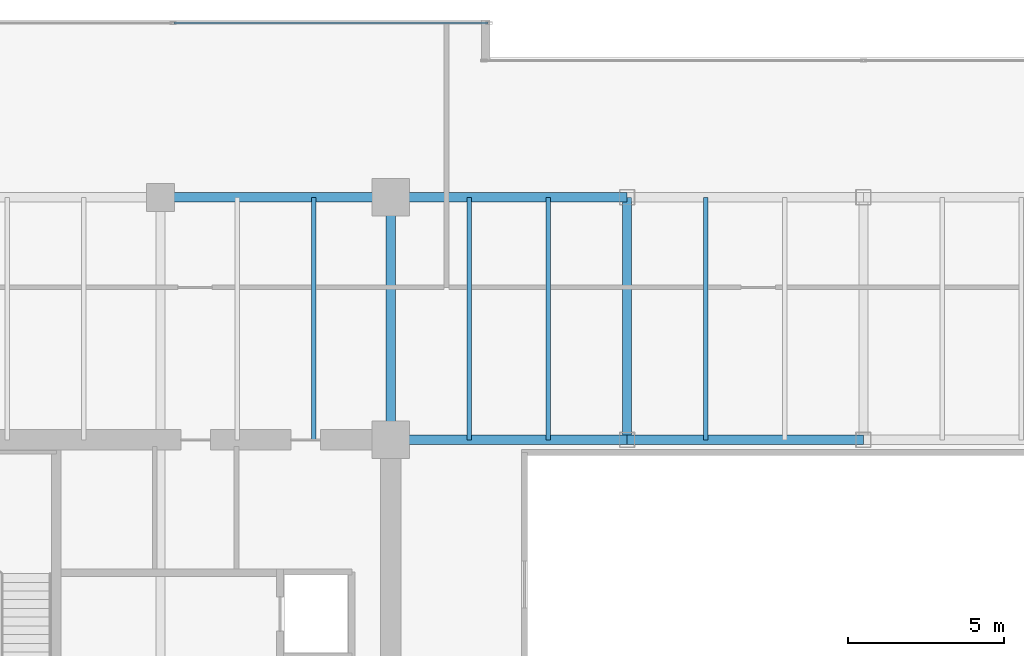
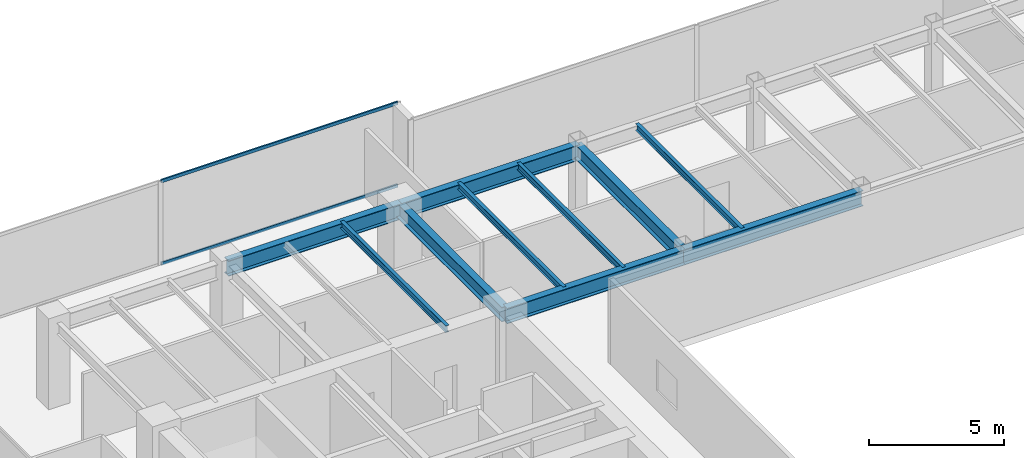
# One storey, part 15 of 30: 10 beams, 2 members, 1 element without a shape of its own.
"""IFC4 building model written with IfcOpenShell, lengths in metres."""

from ifc_helpers import new_model, si_unit, direction, frame, origin, origin_2d, place, context, subcontext, project, spatial, hollow_rectangle, i_section, extrude, source, transform, mapped, material, layer, layer_set, material_profile, profile_set, type_object, type_shapes, element, aggregate, save


model = new_model("IFC4")

# Units and contexts
model_context = context("Model", 3, precision=1e-05, world=origin(), true_north=direction((0.0, 1.0)))
body_context = subcontext(model_context, "Body", "Model", "MODEL_VIEW")
ifc_project = project(units=[si_unit("LENGTHUNIT", "METRE"), si_unit("AREAUNIT", "SQUARE_METRE"), si_unit("VOLUMEUNIT", "CUBIC_METRE"), si_unit("PLANEANGLEUNIT", "RADIAN"), si_unit("MASSUNIT", "GRAM", prefix="KILO")], contexts=[model_context])

# Site, building, storey
site_placement = place(None, origin())
site = spatial("IfcSite", under=ifc_project, at=site_placement, CompositionType="ELEMENT")
building_placement = place(site_placement, origin())
building = spatial("IfcBuilding", under=site, at=building_placement, Name="Haelvirn Gate Laboratories", CompositionType="ELEMENT")
storey_placement = place(building_placement, frame((0.0, 0.0, 125.60009765625)))
storey = spatial("IfcBuildingStorey", under=building, at=storey_placement, Name="L30", CompositionType="ELEMENT", Elevation=125.60009765625)

# Beams
ifc_material_1 = material(Name="Steel SM355", Category="steel")
ifc_material_profile_1 = material_profile(ifc_material_1, i_section(OverallWidth=0.300048828125, OverallDepth=0.64990234375, WebThickness=0.012939453125, FlangeThickness=0.02197265625, at=origin_2d()), Name="H-650x300x13x22")
ifc_profile_set_1 = profile_set([ifc_material_profile_1], Name="Steel SM355")
beam_type_1 = type_object("IfcBeamType", Name="BM-G-650", PredefinedType="BEAM", material=ifc_profile_set_1)
shared_shape_1 = source(origin(), body_context, "Body", "SweptSolid", [
    extrude(i_section(OverallWidth=0.300048828125, OverallDepth=0.64990234375, WebThickness=0.012939453125, FlangeThickness=0.02197265625, at=origin_2d()), origin(), (0.0, 0.0, 1.0), 7.800048828125),
])
type_shapes(beam_type_1, [shared_shape_1])
for number, where, z_axis, x_axis, name in (
    (1, (22.199951171875, 33.800048828125, 3.46484375), (0.0, 1.0, 0.0), (-1.0, 0.0, 0.0), "L30 Frame Girder X22.2 (33.8-41.6)"),
    (2, (29.800048828125, 33.800048828125, 3.46484375), (0.0, 1.0, 0.0), (-1.0, 0.0, 0.0), "L30 Frame Girder X29.8 (33.8-41.6)"),
):
    element("IfcBeam", number, at=place(storey_placement, frame(where, z_axis=z_axis, x_axis=x_axis)), inside=storey, type_object=beam_type_1, Name=name, PredefinedType="BEAM", context=body_context, shape_type="MappedRepresentation", body=[
        mapped(shared_shape_1, transform((0.0, 0.0, 0.0), scale=1.0)),
    ])
ifc_material_profile_2 = material_profile(ifc_material_1, i_section(OverallWidth=0.300048828125, OverallDepth=0.699951171875, WebThickness=0.012939453125, FlangeThickness=0.02392578125, at=origin_2d()), Name="H-700x300x13x24")
ifc_profile_set_2 = profile_set([ifc_material_profile_2], Name="Steel SM355")
beam_type_2 = type_object("IfcBeamType", Name="BM-G-700", PredefinedType="BEAM", material=ifc_profile_set_2)
shared_shape_2 = source(origin(), body_context, "Body", "SweptSolid", [
    extrude(i_section(OverallWidth=0.300048828125, OverallDepth=0.699951171875, WebThickness=0.012939453125, FlangeThickness=0.02392578125, at=origin_2d()), origin(), (0.0, 0.0, 1.0), 7.39990234375),
])
beam_1_placement = place(storey_placement, frame((14.800048828125, 41.60009765625, 3.43994140625), z_axis=(1.0, 0.0, 0.0), x_axis=(0.0, 1.0, 0.0)))
element("IfcBeam", 3, at=beam_1_placement, inside=storey, type_object=beam_type_2, Name="L30 Primary Girder Y41.6 (14.8-22.2)", PredefinedType="BEAM", context=body_context, shape_type="MappedRepresentation", body=[
    mapped(shared_shape_2, transform((0.0, 0.0, 0.0), scale=1.0)),
])
shared_shape_3 = source(origin(), body_context, "Body", "SweptSolid", [
    extrude(i_section(OverallWidth=0.300048828125, OverallDepth=0.699951171875, WebThickness=0.012939453125, FlangeThickness=0.02392578125, at=origin_2d()), origin(), (0.0, 0.0, 1.0), 7.60009765625),
])
for number, where, z_axis, x_axis, name in (
    (4, (22.199951171875, 33.800048828125, 3.43994140625), (1.0, 0.0, 0.0), (0.0, 1.0, 0.0), "L30 Primary Girder Y33.8 (22.2-29.8)"),
    (5, (22.199951171875, 41.60009765625, 3.43994140625), (1.0, 0.0, 0.0), (0.0, 1.0, 0.0), "L30 Primary Girder Y41.6 (22.2-29.8)"),
):
    element("IfcBeam", number, at=place(storey_placement, frame(where, z_axis=z_axis, x_axis=x_axis)), inside=storey, type_object=beam_type_2, Name=name, PredefinedType="BEAM", context=body_context, shape_type="MappedRepresentation", body=[
        mapped(shared_shape_3, transform((0.0, 0.0, 0.0), scale=1.0)),
    ])
shared_shape_4 = source(origin(), body_context, "Body", "SweptSolid", [
    extrude(i_section(OverallWidth=0.300048828125, OverallDepth=0.699951171875, WebThickness=0.012939453125, FlangeThickness=0.02392578125, at=origin_2d()), origin(), (0.0, 0.0, 1.0), 7.599853515625),
])
type_shapes(beam_type_2, [shared_shape_2, shared_shape_3, shared_shape_4])
beam_2_placement = place(storey_placement, frame((29.800048828125, 33.800048828125, 3.43994140625), z_axis=(1.0, 0.0, 0.0), x_axis=(0.0, 1.0, 0.0)))
element("IfcBeam", 6, at=beam_2_placement, inside=storey, type_object=beam_type_2, Name="L30 Primary Girder Y33.8 (29.8-37.4)", PredefinedType="BEAM", context=body_context, shape_type="MappedRepresentation", body=[
    mapped(shared_shape_4, transform((0.0, 0.0, 0.0), scale=1.0)),
])
ifc_material_profile_3 = material_profile(ifc_material_1, i_section(OverallWidth=0.14990234375, OverallDepth=0.300048828125, WebThickness=0.006591796875, FlangeThickness=0.009033203125, at=origin_2d()), Name="H-300x150x6.5x9")
ifc_profile_set_3 = profile_set([ifc_material_profile_3], Name="Steel SM355")
beam_type_3 = type_object("IfcBeamType", Name="BM-J-300", PredefinedType="JOIST", material=ifc_profile_set_3)
shared_shape_5 = source(origin(), body_context, "Body", "SweptSolid", [
    extrude(i_section(OverallWidth=0.14990234375, OverallDepth=0.300048828125, WebThickness=0.006591796875, FlangeThickness=0.009033203125, at=origin_2d()), origin(), (0.0, 0.0, 1.0), 7.800048828125),
])
type_shapes(beam_type_3, [shared_shape_5])
for number, where, z_axis, x_axis, name in (
    (7, (19.72998046875, 33.800048828125, 3.639892578125), (0.0, 1.0, 0.0), (-1.0, 0.0, 0.0), "L30 Composite Lab Joist North X19.73"),
    (8, (24.72998046875, 33.800048828125, 3.639892578125), (0.0, 1.0, 0.0), (-1.0, 0.0, 0.0), "L30 Composite Lab Joist North X24.73"),
    (9, (27.27001953125, 33.800048828125, 3.639892578125), (0.0, 1.0, 0.0), (-1.0, 0.0, 0.0), "L30 Composite Lab Joist North X27.27"),
    (10, (32.330078125, 33.800048828125, 3.639892578125), (0.0, 1.0, 0.0), (-1.0, 0.0, 0.0), "L30 Composite Lab Joist North X32.33"),
):
    element("IfcBeam", number, at=place(storey_placement, frame(where, z_axis=z_axis, x_axis=x_axis)), inside=storey, type_object=beam_type_3, Name=name, PredefinedType="JOIST", context=body_context, shape_type="MappedRepresentation", body=[
        mapped(shared_shape_5, transform((0.0, 0.0, 0.0), scale=1.0)),
    ])

# Curtain wall, members
ifc_material_2 = material(Name="Anodised bronze unitised aluminium & triple low-E glass", Category="aluminium")
ifc_layer = layer(ifc_material_2, 0.179931640625, Name="CW-SYS-3")
ifc_layer_set = layer_set([ifc_layer], Name="Anodised bronze unitised aluminium & triple low-E glass")
curtain_wall_type = type_object("IfcCurtainWallType", Name="CW-SYS-3", PredefinedType="NOTDEFINED", material=ifc_layer_set)
curtain_wall_placement = place(storey_placement, origin())
curtain_wall = element("IfcCurtainWall", 11, at=curtain_wall_placement, inside=storey, type_object=curtain_wall_type, Name="L30 Unitised Curtain Wall CW-L30-P0-E14-1", PredefinedType="NOTDEFINED")
ifc_material_3 = material(Name="Extruded aluminium 6063-T6 (anodised bronze)", Category="aluminium")
ifc_material_profile_4 = material_profile(ifc_material_3, hollow_rectangle(XDim=0.06494140625, YDim=0.139892578125, WallThickness=0.00390625, at=origin_2d()), Name="CWT-140x65x4")
ifc_profile_set_4 = profile_set([ifc_material_profile_4], Name="Extruded aluminium 6063-T6 (anodised bronze)")
member_type = type_object("IfcMemberType", Name="CWT-T140", PredefinedType="USERDEFINED", material=ifc_profile_set_4)
shared_shape_6 = source(origin(), body_context, "Body", "SweptSolid", [
    extrude(hollow_rectangle(XDim=0.06494140625, YDim=0.139892578125, WallThickness=0.00390625, at=origin_2d()), origin(), (0.0, 0.0, 1.0), 10.08740234375),
])
type_shapes(member_type, [shared_shape_6])
member_1_placement = place(storey_placement, frame((15.237548828125, 47.199951171875, 0.032470703125), z_axis=(1.0, 0.0, 0.0), x_axis=(0.0, 1.0, 0.0)))
member_1 = element("IfcMember", 12, at=member_1_placement, type_object=member_type, Name="CW3 transom 2.1", ObjectType="TRANSOM", PredefinedType="USERDEFINED", context=body_context, shape_type="MappedRepresentation", body=[
    mapped(shared_shape_6, transform((0.0, 0.0, 0.0), scale=1.0)),
])
member_2_placement = place(storey_placement, frame((15.237548828125, 47.199951171875, 3.75732421875), z_axis=(1.0, 0.0, 0.0), x_axis=(0.0, 1.0, 0.0)))
member_2 = element("IfcMember", 13, at=member_2_placement, type_object=member_type, Name="CW3 transom 2.2", ObjectType="TRANSOM", PredefinedType="USERDEFINED", context=body_context, shape_type="MappedRepresentation", body=[
    mapped(shared_shape_6, transform((0.0, 0.0, 0.0), scale=1.0)),
])
aggregate(curtain_wall, [member_1, member_2])

save(model, "model.ifc")
